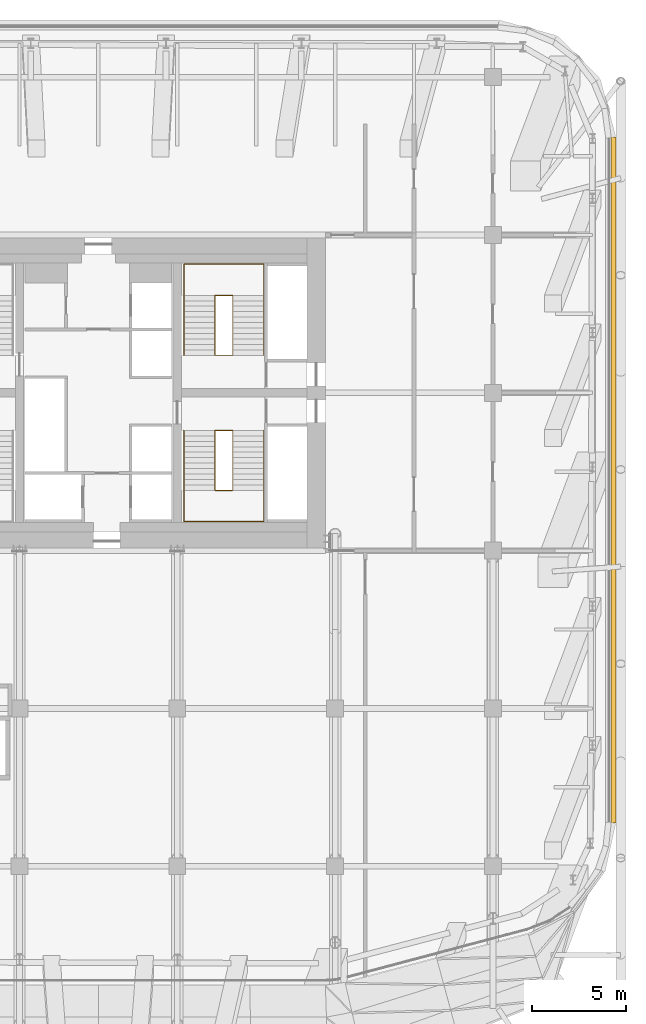
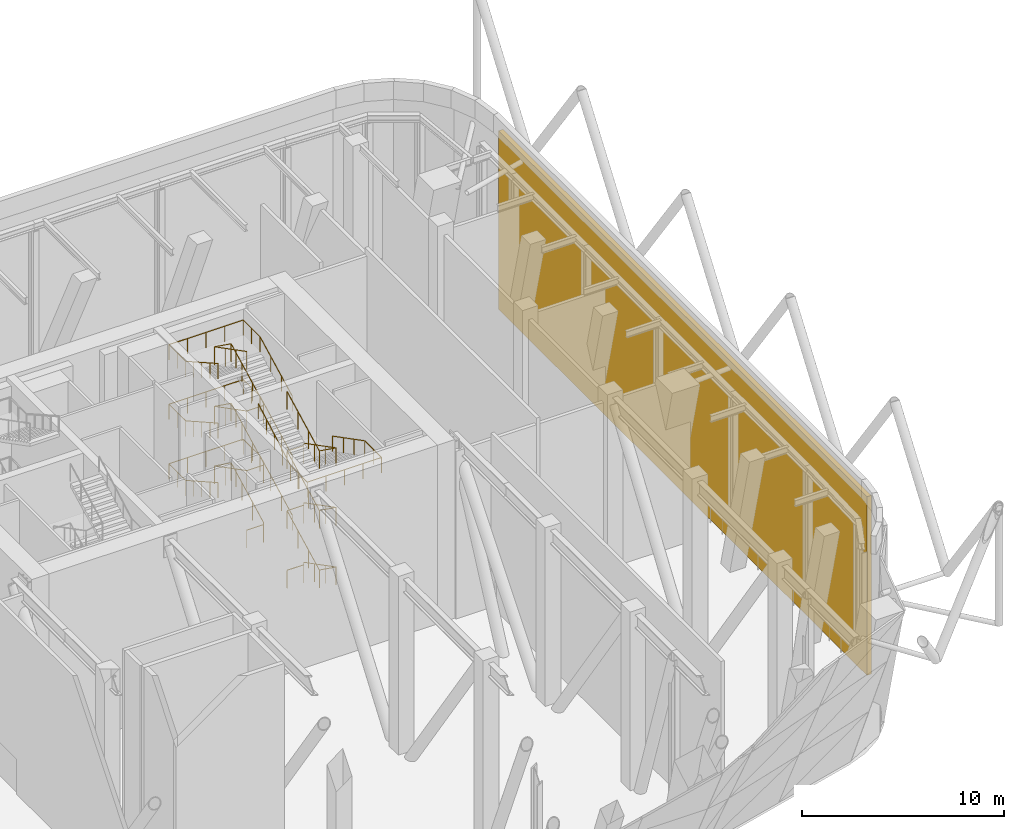
# One storey, part 19 of 20: 10 railings, 1 shading device.
"""IFC4 building model written with IfcOpenShell, lengths in metres."""

from ifc_helpers import new_model, si_unit, direction, frame, frame_2d, origin, origin_2d, place, context, subcontext, project, spatial, rectangle, circle, extrude, material, layer, layer_set, type_object, element, save


model = new_model("IFC4")

# Units and contexts
model_context = context("Model", 3, precision=1e-05, world=origin(), true_north=direction((0.0, 1.0)))
body_context = subcontext(model_context, "Body", "Model", "MODEL_VIEW")
ifc_project = project(units=[si_unit("LENGTHUNIT", "METRE"), si_unit("AREAUNIT", "SQUARE_METRE"), si_unit("VOLUMEUNIT", "CUBIC_METRE"), si_unit("PLANEANGLEUNIT", "RADIAN"), si_unit("MASSUNIT", "GRAM", prefix="KILO")], contexts=[model_context])

# Site, building, storey
site_placement = place(None, origin())
site = spatial("IfcSite", under=ifc_project, at=site_placement, CompositionType="ELEMENT")
building_placement = place(site_placement, origin())
building = spatial("IfcBuilding", under=site, at=building_placement, Name="Marenta Gate Hotel Tower", CompositionType="ELEMENT")
storey_placement = place(building_placement, frame((0.0, 0.0, 169.699951171875)))
storey = spatial("IfcBuildingStorey", under=building, at=storey_placement, Name="L40", CompositionType="ELEMENT", Elevation=169.699951171875)

# Railings
ifc_material_1 = material(Name="Stainless steel", Category="steel")
railing_type_1 = type_object("IfcRailingType", Name="Core stair handrail 950", PredefinedType="HANDRAIL", material=ifc_material_1)
railing_1_placement = place(storey_placement, frame((8.800048828125, 6.39990234375, 7.35009765625)))
element("IfcRailing", 1, at=railing_1_placement, inside=storey, type_object=railing_type_1, Name="HR-950 L40-KR-ST3-5", PredefinedType="HANDRAIL", context=body_context, shape_type="SweptSolid", body=[
    extrude(circle(Radius=0.02392578125, at=origin_2d()), frame((0.0, 0.0, 0.92578125), z_axis=(0.0, -0.888225295554, 0.459408123936), x_axis=(1.0, 0.0, 0.0)), (0.0, 0.0, 1.0), 3.59130859375),
    extrude(circle(Radius=0.02392578125, at=origin_2d()), frame((0.0, -3.18994140625, 2.57568359375), z_axis=(0.0, -1.0, 0.0), x_axis=(1.0, 0.0, 0.0)), (0.0, 0.0, 1.0), 1.659912109375),
    extrude(circle(Radius=0.02392578125, at=origin_2d()), frame((0.0, -4.849853515625, 2.57568359375), z_axis=(-1.0, 0.0, 0.0), x_axis=(0.0, -1.0, 0.0)), (0.0, 0.0, 1.0), 4.25),
    extrude(circle(Radius=0.02392578125, at=origin_2d()), frame((-4.25, -4.849853515625, 2.57568359375), z_axis=(0.0, 1.0, 0.0), x_axis=(-1.0, 0.0, 0.0)), (0.0, 0.0, 1.0), 1.659912109375),
    extrude(circle(Radius=0.02392578125, at=origin_2d()), frame((-4.25, -3.18994140625, 2.57568359375), z_axis=(0.0, 0.87090897868, 0.491444351738), x_axis=(-1.0, 0.0, 0.0)), (0.0, 0.0, 1.0), 3.662841796875),
    extrude(circle(Radius=0.02099609375, at=origin_2d()), origin(), (0.0, 0.0, 1.0), 0.90185546875),
    extrude(circle(Radius=0.02099609375, at=origin_2d()), frame((0.0, -1.063232421875, 0.550048828125)), (0.0, 0.0, 1.0), 0.90185546875),
    extrude(circle(Radius=0.02099609375, at=origin_2d()), frame((0.0, -2.126708984375, 1.099853515625)), (0.0, 0.0, 1.0), 0.90185546875),
    extrude(circle(Radius=0.02099609375, at=origin_2d()), frame((0.0, -3.18994140625, 1.64990234375)), (0.0, 0.0, 1.0), 0.90185546875),
    extrude(circle(Radius=0.02099609375, at=origin_2d()), frame((0.0, -4.02001953125, 1.64990234375)), (0.0, 0.0, 1.0), 0.90185546875),
    extrude(circle(Radius=0.02099609375, at=origin_2d()), frame((0.0, -4.849853515625, 1.64990234375)), (0.0, 0.0, 1.0), 0.90185546875),
    extrude(circle(Radius=0.02099609375, at=origin_2d()), frame((-1.0625, -4.849853515625, 1.64990234375)), (0.0, 0.0, 1.0), 0.90185546875),
    extrude(circle(Radius=0.02099609375, at=origin_2d()), frame((-2.125, -4.849853515625, 1.64990234375)), (0.0, 0.0, 1.0), 0.90185546875),
    extrude(circle(Radius=0.02099609375, at=origin_2d()), frame((-3.1875, -4.849853515625, 1.64990234375)), (0.0, 0.0, 1.0), 0.90185546875),
    extrude(circle(Radius=0.02099609375, at=origin_2d()), frame((-4.25, -4.849853515625, 1.64990234375)), (0.0, 0.0, 1.0), 0.90185546875),
    extrude(circle(Radius=0.02099609375, at=origin_2d()), frame((-4.25, -4.02001953125, 1.64990234375)), (0.0, 0.0, 1.0), 0.90185546875),
    extrude(circle(Radius=0.02099609375, at=origin_2d()), frame((-4.25, -3.18994140625, 1.64990234375)), (0.0, 0.0, 1.0), 0.90185546875),
    extrude(circle(Radius=0.02099609375, at=origin_2d()), frame((-4.25, -2.392578125, 2.099853515625)), (0.0, 0.0, 1.0), 0.90185546875),
    extrude(circle(Radius=0.02099609375, at=origin_2d()), frame((-4.25, -1.594970703125, 2.5498046875)), (0.0, 0.0, 1.0), 0.90185546875),
    extrude(circle(Radius=0.02099609375, at=origin_2d()), frame((-4.25, -0.79736328125, 3.0)), (0.0, 0.0, 1.0), 0.90185546875),
    extrude(circle(Radius=0.02099609375, at=origin_2d()), frame((-4.25, 0.0, 3.449951171875)), (0.0, 0.0, 1.0), 0.90185546875),
])
railing_2_placement = place(storey_placement, frame((8.800048828125, 10.39990234375, 0.150146484375)))
element("IfcRailing", 2, at=railing_2_placement, inside=storey, type_object=railing_type_1, Name="HR-950 L40-KR-ST4-1", PredefinedType="HANDRAIL", context=body_context, shape_type="SweptSolid", body=[
    extrude(circle(Radius=0.02392578125, at=origin_2d()), frame((0.0, 0.0, 0.92578125), z_axis=(0.0, 0.888239641807, 0.459380385653), x_axis=(-1.0, 0.0, 0.0)), (0.0, 0.0, 1.0), 3.591552734375),
    extrude(circle(Radius=0.02392578125, at=origin_2d()), frame((0.0, 3.190185546875, 2.57568359375), z_axis=(0.0, 1.0, 0.0), x_axis=(-1.0, 0.0, 0.0)), (0.0, 0.0, 1.0), 1.659912109375),
    extrude(circle(Radius=0.02392578125, at=origin_2d()), frame((0.0, 4.85009765625, 2.57568359375), z_axis=(-1.0, 0.0, 0.0), x_axis=(0.0, -1.0, 0.0)), (0.0, 0.0, 1.0), 4.25),
    extrude(circle(Radius=0.02392578125, at=origin_2d()), frame((-4.25, 4.85009765625, 2.57568359375), z_axis=(0.0, -1.0, 0.0), x_axis=(1.0, 0.0, 0.0)), (0.0, 0.0, 1.0), 1.659912109375),
    extrude(circle(Radius=0.02392578125, at=origin_2d()), frame((-4.25, 3.190185546875, 2.57568359375), z_axis=(0.0, -0.870925075533, 0.491415824742), x_axis=(1.0, 0.0, 0.0)), (0.0, 0.0, 1.0), 3.6630859375),
    extrude(circle(Radius=0.02099609375, at=origin_2d()), origin(), (0.0, 0.0, 1.0), 0.90185546875),
    extrude(circle(Radius=0.02099609375, at=origin_2d()), frame((0.0, 1.0634765625, 0.550048828125)), (0.0, 0.0, 1.0), 0.90185546875),
    extrude(circle(Radius=0.02099609375, at=origin_2d()), frame((0.0, 2.126708984375, 1.099853515625)), (0.0, 0.0, 1.0), 0.90185546875),
    extrude(circle(Radius=0.02099609375, at=origin_2d()), frame((0.0, 3.190185546875, 1.64990234375)), (0.0, 0.0, 1.0), 0.90185546875),
    extrude(circle(Radius=0.02099609375, at=origin_2d()), frame((0.0, 4.02001953125, 1.64990234375)), (0.0, 0.0, 1.0), 0.90185546875),
    extrude(circle(Radius=0.02099609375, at=origin_2d()), frame((0.0, 4.85009765625, 1.64990234375)), (0.0, 0.0, 1.0), 0.90185546875),
    extrude(circle(Radius=0.02099609375, at=origin_2d()), frame((-1.0625, 4.85009765625, 1.64990234375)), (0.0, 0.0, 1.0), 0.90185546875),
    extrude(circle(Radius=0.02099609375, at=origin_2d()), frame((-2.125, 4.85009765625, 1.64990234375)), (0.0, 0.0, 1.0), 0.90185546875),
    extrude(circle(Radius=0.02099609375, at=origin_2d()), frame((-3.1875, 4.85009765625, 1.64990234375)), (0.0, 0.0, 1.0), 0.90185546875),
    extrude(circle(Radius=0.02099609375, at=origin_2d()), frame((-4.25, 4.85009765625, 1.64990234375)), (0.0, 0.0, 1.0), 0.90185546875),
    extrude(circle(Radius=0.02099609375, at=origin_2d()), frame((-4.25, 4.02001953125, 1.64990234375)), (0.0, 0.0, 1.0), 0.90185546875),
    extrude(circle(Radius=0.02099609375, at=origin_2d()), frame((-4.25, 3.190185546875, 1.64990234375)), (0.0, 0.0, 1.0), 0.90185546875),
    extrude(circle(Radius=0.02099609375, at=origin_2d()), frame((-4.25, 2.392578125, 2.099853515625)), (0.0, 0.0, 1.0), 0.90185546875),
    extrude(circle(Radius=0.02099609375, at=origin_2d()), frame((-4.25, 1.59521484375, 2.5498046875)), (0.0, 0.0, 1.0), 0.90185546875),
    extrude(circle(Radius=0.02099609375, at=origin_2d()), frame((-4.25, 0.797607421875, 3.0)), (0.0, 0.0, 1.0), 0.90185546875),
    extrude(circle(Radius=0.02099609375, at=origin_2d()), frame((-4.25, 0.0, 3.449951171875)), (0.0, 0.0, 1.0), 0.90185546875),
])
railing_3_placement = place(storey_placement, frame((8.800048828125, 10.39990234375, 3.75)))
element("IfcRailing", 3, at=railing_3_placement, inside=storey, type_object=railing_type_1, Name="HR-950 L40-KR-ST4-3", PredefinedType="HANDRAIL", context=body_context, shape_type="SweptSolid", body=[
    extrude(circle(Radius=0.02392578125, at=origin_2d()), frame((0.0, 0.0, 0.92578125), z_axis=(0.0, 0.888211904222, 0.459434013977), x_axis=(-1.0, 0.0, 0.0)), (0.0, 0.0, 1.0), 3.591796875),
    extrude(circle(Radius=0.02392578125, at=origin_2d()), frame((0.0, 3.190185546875, 2.576171875), z_axis=(0.0, 1.0, 0.0), x_axis=(-1.0, 0.0, 0.0)), (0.0, 0.0, 1.0), 1.659912109375),
    extrude(circle(Radius=0.02392578125, at=origin_2d()), frame((0.0, 4.85009765625, 2.576171875), z_axis=(-1.0, 0.0, 0.0), x_axis=(0.0, -1.0, 0.0)), (0.0, 0.0, 1.0), 4.25),
    extrude(circle(Radius=0.02392578125, at=origin_2d()), frame((-4.25, 4.85009765625, 2.576171875), z_axis=(0.0, -1.0, 0.0), x_axis=(1.0, 0.0, 0.0)), (0.0, 0.0, 1.0), 1.659912109375),
    extrude(circle(Radius=0.02392578125, at=origin_2d()), frame((-4.25, 3.190185546875, 2.576171875), z_axis=(0.0, -0.870953600603, 0.491365266982), x_axis=(1.0, 0.0, 0.0)), (0.0, 0.0, 1.0), 3.662841796875),
    extrude(circle(Radius=0.02099609375, at=origin_2d()), origin(), (0.0, 0.0, 1.0), 0.90185546875),
    extrude(circle(Radius=0.02099609375, at=origin_2d()), frame((0.0, 1.0634765625, 0.550048828125)), (0.0, 0.0, 1.0), 0.90185546875),
    extrude(circle(Radius=0.02099609375, at=origin_2d()), frame((0.0, 2.126708984375, 1.10009765625)), (0.0, 0.0, 1.0), 0.90185546875),
    extrude(circle(Radius=0.02099609375, at=origin_2d()), frame((0.0, 3.190185546875, 1.650146484375)), (0.0, 0.0, 1.0), 0.90185546875),
    extrude(circle(Radius=0.02099609375, at=origin_2d()), frame((0.0, 4.02001953125, 1.650146484375)), (0.0, 0.0, 1.0), 0.90185546875),
    extrude(circle(Radius=0.02099609375, at=origin_2d()), frame((0.0, 4.85009765625, 1.650146484375)), (0.0, 0.0, 1.0), 0.90185546875),
    extrude(circle(Radius=0.02099609375, at=origin_2d()), frame((-1.0625, 4.85009765625, 1.650146484375)), (0.0, 0.0, 1.0), 0.90185546875),
    extrude(circle(Radius=0.02099609375, at=origin_2d()), frame((-2.125, 4.85009765625, 1.650146484375)), (0.0, 0.0, 1.0), 0.90185546875),
    extrude(circle(Radius=0.02099609375, at=origin_2d()), frame((-3.1875, 4.85009765625, 1.650146484375)), (0.0, 0.0, 1.0), 0.90185546875),
    extrude(circle(Radius=0.02099609375, at=origin_2d()), frame((-4.25, 4.85009765625, 1.650146484375)), (0.0, 0.0, 1.0), 0.90185546875),
    extrude(circle(Radius=0.02099609375, at=origin_2d()), frame((-4.25, 4.02001953125, 1.650146484375)), (0.0, 0.0, 1.0), 0.90185546875),
    extrude(circle(Radius=0.02099609375, at=origin_2d()), frame((-4.25, 3.190185546875, 1.650146484375)), (0.0, 0.0, 1.0), 0.90185546875),
    extrude(circle(Radius=0.02099609375, at=origin_2d()), frame((-4.25, 2.392578125, 2.10009765625)), (0.0, 0.0, 1.0), 0.90185546875),
    extrude(circle(Radius=0.02099609375, at=origin_2d()), frame((-4.25, 1.59521484375, 2.550048828125)), (0.0, 0.0, 1.0), 0.90185546875),
    extrude(circle(Radius=0.02099609375, at=origin_2d()), frame((-4.25, 0.797607421875, 3.0)), (0.0, 0.0, 1.0), 0.90185546875),
    extrude(circle(Radius=0.02099609375, at=origin_2d()), frame((-4.25, 0.0, 3.449951171875)), (0.0, 0.0, 1.0), 0.90185546875),
])
railing_4_placement = place(storey_placement, frame((8.800048828125, 10.39990234375, 7.35009765625)))
element("IfcRailing", 4, at=railing_4_placement, inside=storey, type_object=railing_type_1, Name="HR-950 L40-KR-ST4-5", PredefinedType="HANDRAIL", context=body_context, shape_type="SweptSolid", body=[
    extrude(circle(Radius=0.02392578125, at=origin_2d()), frame((0.0, 0.0, 0.92578125), z_axis=(0.0, 0.888239641807, 0.459380385653), x_axis=(-1.0, 0.0, 0.0)), (0.0, 0.0, 1.0), 3.591552734375),
    extrude(circle(Radius=0.02392578125, at=origin_2d()), frame((0.0, 3.190185546875, 2.57568359375), z_axis=(0.0, 1.0, 0.0), x_axis=(-1.0, 0.0, 0.0)), (0.0, 0.0, 1.0), 1.659912109375),
    extrude(circle(Radius=0.02392578125, at=origin_2d()), frame((0.0, 4.85009765625, 2.57568359375), z_axis=(-1.0, 0.0, 0.0), x_axis=(0.0, -1.0, 0.0)), (0.0, 0.0, 1.0), 4.25),
    extrude(circle(Radius=0.02392578125, at=origin_2d()), frame((-4.25, 4.85009765625, 2.57568359375), z_axis=(0.0, -1.0, 0.0), x_axis=(1.0, 0.0, 0.0)), (0.0, 0.0, 1.0), 1.659912109375),
    extrude(circle(Radius=0.02392578125, at=origin_2d()), frame((-4.25, 3.190185546875, 2.57568359375), z_axis=(0.0, -0.870925075533, 0.491415824742), x_axis=(1.0, 0.0, 0.0)), (0.0, 0.0, 1.0), 3.6630859375),
    extrude(circle(Radius=0.02099609375, at=origin_2d()), origin(), (0.0, 0.0, 1.0), 0.90185546875),
    extrude(circle(Radius=0.02099609375, at=origin_2d()), frame((0.0, 1.0634765625, 0.550048828125)), (0.0, 0.0, 1.0), 0.90185546875),
    extrude(circle(Radius=0.02099609375, at=origin_2d()), frame((0.0, 2.126708984375, 1.099853515625)), (0.0, 0.0, 1.0), 0.90185546875),
    extrude(circle(Radius=0.02099609375, at=origin_2d()), frame((0.0, 3.190185546875, 1.64990234375)), (0.0, 0.0, 1.0), 0.90185546875),
    extrude(circle(Radius=0.02099609375, at=origin_2d()), frame((0.0, 4.02001953125, 1.64990234375)), (0.0, 0.0, 1.0), 0.90185546875),
    extrude(circle(Radius=0.02099609375, at=origin_2d()), frame((0.0, 4.85009765625, 1.64990234375)), (0.0, 0.0, 1.0), 0.90185546875),
    extrude(circle(Radius=0.02099609375, at=origin_2d()), frame((-1.0625, 4.85009765625, 1.64990234375)), (0.0, 0.0, 1.0), 0.90185546875),
    extrude(circle(Radius=0.02099609375, at=origin_2d()), frame((-2.125, 4.85009765625, 1.64990234375)), (0.0, 0.0, 1.0), 0.90185546875),
    extrude(circle(Radius=0.02099609375, at=origin_2d()), frame((-3.1875, 4.85009765625, 1.64990234375)), (0.0, 0.0, 1.0), 0.90185546875),
    extrude(circle(Radius=0.02099609375, at=origin_2d()), frame((-4.25, 4.85009765625, 1.64990234375)), (0.0, 0.0, 1.0), 0.90185546875),
    extrude(circle(Radius=0.02099609375, at=origin_2d()), frame((-4.25, 4.02001953125, 1.64990234375)), (0.0, 0.0, 1.0), 0.90185546875),
    extrude(circle(Radius=0.02099609375, at=origin_2d()), frame((-4.25, 3.190185546875, 1.64990234375)), (0.0, 0.0, 1.0), 0.90185546875),
    extrude(circle(Radius=0.02099609375, at=origin_2d()), frame((-4.25, 2.392578125, 2.099853515625)), (0.0, 0.0, 1.0), 0.90185546875),
    extrude(circle(Radius=0.02099609375, at=origin_2d()), frame((-4.25, 1.59521484375, 2.5498046875)), (0.0, 0.0, 1.0), 0.90185546875),
    extrude(circle(Radius=0.02099609375, at=origin_2d()), frame((-4.25, 0.797607421875, 3.0)), (0.0, 0.0, 1.0), 0.90185546875),
    extrude(circle(Radius=0.02099609375, at=origin_2d()), frame((-4.25, 0.0, 3.449951171875)), (0.0, 0.0, 1.0), 0.90185546875),
])
ifc_material_2 = material(Name="Stainless steel", Category="steel")
railing_type_2 = type_object("IfcRailingType", Name="Core stair well guard 1100", PredefinedType="GUARDRAIL", material=ifc_material_2)
railing_5_placement = place(storey_placement, frame((6.199951171875, 6.39990234375, 0.0)))
element("IfcRailing", 5, at=railing_5_placement, inside=storey, type_object=railing_type_2, Name="GR-1100 L40-KR-ST3-2", PredefinedType="GUARDRAIL", context=body_context, shape_type="SweptSolid", body=[
    extrude(circle(Radius=0.02392578125, at=origin_2d()), frame((0.0, 0.0, 1.076171875), z_axis=(1.0, 0.0, 0.0), x_axis=(0.0, 1.0, 0.0)), (0.0, 0.0, 1.0), 0.949951171875),
    extrude(circle(Radius=0.02392578125, at=origin_2d()), frame((0.949951171875, 0.0, 1.076171875), z_axis=(0.0, 0.0, 1.0), x_axis=(1.0, 0.0, 0.0)), (0.0, 0.0, 1.0), 0.150146484375),
    extrude(circle(Radius=0.02392578125, at=origin_2d()), frame((0.949951171875, 0.0, 1.22607421875), z_axis=(0.0, -0.888225295554, 0.459408123936), x_axis=(1.0, 0.0, 0.0)), (0.0, 0.0, 1.0), 3.59130859375),
    extrude(circle(Radius=0.02392578125, at=origin_2d()), frame((0.949951171875, -3.18994140625, 2.8759765625), z_axis=(-0.987777369502, 0.0, 0.15587131968), x_axis=(0.0, -1.0, 0.0)), (0.0, 0.0, 1.0), 0.961669921875),
    extrude(circle(Radius=0.02392578125, at=origin_2d()), frame((0.0, -3.18994140625, 3.02587890625), z_axis=(0.0, 0.888197555067, 0.459461753765), x_axis=(-1.0, 0.0, 0.0)), (0.0, 0.0, 1.0), 3.591552734375),
    extrude(circle(Radius=0.02099609375, at=origin_2d()), origin(), (0.0, 0.0, 1.0), 1.052001953125),
    extrude(circle(Radius=0.02099609375, at=origin_2d()), frame((0.949951171875, 0.0, 0.0)), (0.0, 0.0, 1.0), 1.052001953125),
    extrude(circle(Radius=0.02099609375, at=origin_2d()), frame((0.949951171875, 0.0, 0.150146484375)), (0.0, 0.0, 1.0), 1.052001953125),
    extrude(circle(Radius=0.02099609375, at=origin_2d()), frame((0.949951171875, -1.063232421875, 0.7001953125)), (0.0, 0.0, 1.0), 1.052001953125),
    extrude(circle(Radius=0.02099609375, at=origin_2d()), frame((0.949951171875, -2.126708984375, 1.25)), (0.0, 0.0, 1.0), 1.052001953125),
    extrude(circle(Radius=0.02099609375, at=origin_2d()), frame((0.949951171875, -3.18994140625, 1.800048828125)), (0.0, 0.0, 1.0), 1.052001953125),
    extrude(circle(Radius=0.02099609375, at=origin_2d()), frame((0.0, -3.18994140625, 1.949951171875)), (0.0, 0.0, 1.0), 1.052001953125),
    extrude(circle(Radius=0.02099609375, at=origin_2d()), frame((0.0, -2.126708984375, 2.5)), (0.0, 0.0, 1.0), 1.052001953125),
    extrude(circle(Radius=0.02099609375, at=origin_2d()), frame((0.0, -1.063232421875, 3.050048828125)), (0.0, 0.0, 1.0), 1.052001953125),
    extrude(circle(Radius=0.02099609375, at=origin_2d()), frame((0.0, 0.0, 3.60009765625)), (0.0, 0.0, 1.0), 1.052001953125),
])
railing_6_placement = place(storey_placement, frame((6.199951171875, 6.39990234375, 3.60009765625)))
element("IfcRailing", 6, at=railing_6_placement, inside=storey, type_object=railing_type_2, Name="GR-1100 L40-KR-ST3-4", PredefinedType="GUARDRAIL", context=body_context, shape_type="SweptSolid", body=[
    extrude(circle(Radius=0.02392578125, at=origin_2d()), frame((0.0, 0.0, 1.076171875), z_axis=(1.0, 0.0, 0.0), x_axis=(0.0, 1.0, 0.0)), (0.0, 0.0, 1.0), 0.949951171875),
    extrude(circle(Radius=0.02392578125, at=origin_2d()), frame((0.949951171875, 0.0, 1.076171875), z_axis=(0.0, 0.0, 1.0), x_axis=(1.0, 0.0, 0.0)), (0.0, 0.0, 1.0), 0.14990234375),
    extrude(circle(Radius=0.02392578125, at=origin_2d()), frame((0.949951171875, 0.0, 1.22607421875), z_axis=(0.0, -0.888197555067, 0.459461753765), x_axis=(1.0, 0.0, 0.0)), (0.0, 0.0, 1.0), 3.591552734375),
    extrude(circle(Radius=0.02392578125, at=origin_2d()), frame((0.949951171875, -3.18994140625, 2.8759765625), z_axis=(-0.987777369502, 0.0, 0.15587131968), x_axis=(0.0, -1.0, 0.0)), (0.0, 0.0, 1.0), 0.961669921875),
    extrude(circle(Radius=0.02392578125, at=origin_2d()), frame((0.0, -3.18994140625, 3.02587890625), z_axis=(0.0, 0.888225295554, 0.459408123936), x_axis=(-1.0, 0.0, 0.0)), (0.0, 0.0, 1.0), 3.59130859375),
    extrude(circle(Radius=0.02099609375, at=origin_2d()), origin(), (0.0, 0.0, 1.0), 1.052001953125),
    extrude(circle(Radius=0.02099609375, at=origin_2d()), frame((0.949951171875, 0.0, 0.0)), (0.0, 0.0, 1.0), 1.052001953125),
    extrude(circle(Radius=0.02099609375, at=origin_2d()), frame((0.949951171875, 0.0, 0.14990234375)), (0.0, 0.0, 1.0), 1.052001953125),
    extrude(circle(Radius=0.02099609375, at=origin_2d()), frame((0.949951171875, -1.063232421875, 0.699951171875)), (0.0, 0.0, 1.0), 1.052001953125),
    extrude(circle(Radius=0.02099609375, at=origin_2d()), frame((0.949951171875, -2.126708984375, 1.25)), (0.0, 0.0, 1.0), 1.052001953125),
    extrude(circle(Radius=0.02099609375, at=origin_2d()), frame((0.949951171875, -3.18994140625, 1.800048828125)), (0.0, 0.0, 1.0), 1.052001953125),
    extrude(circle(Radius=0.02099609375, at=origin_2d()), frame((0.0, -3.18994140625, 1.949951171875)), (0.0, 0.0, 1.0), 1.052001953125),
    extrude(circle(Radius=0.02099609375, at=origin_2d()), frame((0.0, -2.126708984375, 2.5)), (0.0, 0.0, 1.0), 1.052001953125),
    extrude(circle(Radius=0.02099609375, at=origin_2d()), frame((0.0, -1.063232421875, 3.0498046875)), (0.0, 0.0, 1.0), 1.052001953125),
    extrude(circle(Radius=0.02099609375, at=origin_2d()), frame((0.0, 0.0, 3.599853515625)), (0.0, 0.0, 1.0), 1.052001953125),
])
railing_7_placement = place(storey_placement, frame((6.199951171875, 6.39990234375, 7.199951171875)))
element("IfcRailing", 7, at=railing_7_placement, inside=storey, type_object=railing_type_2, Name="GR-1100 L40-KR-ST3-6", PredefinedType="GUARDRAIL", context=body_context, shape_type="SweptSolid", body=[
    extrude(circle(Radius=0.02392578125, at=origin_2d()), frame((0.0, 0.0, 1.076171875), z_axis=(1.0, 0.0, 0.0), x_axis=(0.0, 1.0, 0.0)), (0.0, 0.0, 1.0), 0.949951171875),
    extrude(circle(Radius=0.02392578125, at=origin_2d()), frame((0.949951171875, 0.0, 1.076171875), z_axis=(0.0, 0.0, 1.0), x_axis=(1.0, 0.0, 0.0)), (0.0, 0.0, 1.0), 0.150146484375),
    extrude(circle(Radius=0.02392578125, at=origin_2d()), frame((0.949951171875, 0.0, 1.22607421875), z_axis=(0.0, -0.888225295554, 0.459408123936), x_axis=(1.0, 0.0, 0.0)), (0.0, 0.0, 1.0), 3.59130859375),
    extrude(circle(Radius=0.02392578125, at=origin_2d()), frame((0.949951171875, -3.18994140625, 2.8759765625), z_axis=(-0.987738253826, 0.0, 0.156118999255), x_axis=(0.0, -1.0, 0.0)), (0.0, 0.0, 1.0), 0.961669921875),
    extrude(circle(Radius=0.02392578125, at=origin_2d()), frame((0.0, -3.18994140625, 3.0263671875), z_axis=(0.0, 0.888225295554, 0.459408123936), x_axis=(-1.0, 0.0, 0.0)), (0.0, 0.0, 1.0), 3.59130859375),
    extrude(circle(Radius=0.02099609375, at=origin_2d()), origin(), (0.0, 0.0, 1.0), 1.052001953125),
    extrude(circle(Radius=0.02099609375, at=origin_2d()), frame((0.949951171875, 0.0, 0.0)), (0.0, 0.0, 1.0), 1.052001953125),
    extrude(circle(Radius=0.02099609375, at=origin_2d()), frame((0.949951171875, 0.0, 0.150146484375)), (0.0, 0.0, 1.0), 1.052001953125),
    extrude(circle(Radius=0.02099609375, at=origin_2d()), frame((0.949951171875, -1.063232421875, 0.7001953125)), (0.0, 0.0, 1.0), 1.052001953125),
    extrude(circle(Radius=0.02099609375, at=origin_2d()), frame((0.949951171875, -2.126708984375, 1.25)), (0.0, 0.0, 1.0), 1.052001953125),
    extrude(circle(Radius=0.02099609375, at=origin_2d()), frame((0.949951171875, -3.18994140625, 1.800048828125)), (0.0, 0.0, 1.0), 1.052001953125),
    extrude(circle(Radius=0.02099609375, at=origin_2d()), frame((0.0, -3.18994140625, 1.9501953125)), (0.0, 0.0, 1.0), 1.052001953125),
    extrude(circle(Radius=0.02099609375, at=origin_2d()), frame((0.0, -2.126708984375, 2.500244140625)), (0.0, 0.0, 1.0), 1.052001953125),
    extrude(circle(Radius=0.02099609375, at=origin_2d()), frame((0.0, -1.063232421875, 3.050048828125)), (0.0, 0.0, 1.0), 1.052001953125),
    extrude(circle(Radius=0.02099609375, at=origin_2d()), frame((0.0, 0.0, 3.60009765625)), (0.0, 0.0, 1.0), 1.052001953125),
])
railing_8_placement = place(storey_placement, frame((6.199951171875, 10.39990234375, 0.0)))
element("IfcRailing", 8, at=railing_8_placement, inside=storey, type_object=railing_type_2, Name="GR-1100 L40-KR-ST4-2", PredefinedType="GUARDRAIL", context=body_context, shape_type="SweptSolid", body=[
    extrude(circle(Radius=0.02392578125, at=origin_2d()), frame((0.0, 0.0, 1.076171875), z_axis=(1.0, 0.0, 0.0), x_axis=(0.0, 1.0, 0.0)), (0.0, 0.0, 1.0), 0.949951171875),
    extrude(circle(Radius=0.02392578125, at=origin_2d()), frame((0.949951171875, 0.0, 1.076171875), z_axis=(0.0, 0.0, 1.0), x_axis=(1.0, 0.0, 0.0)), (0.0, 0.0, 1.0), 0.150146484375),
    extrude(circle(Radius=0.02392578125, at=origin_2d()), frame((0.949951171875, 0.0, 1.22607421875), z_axis=(0.0, 0.888239641807, 0.459380385653), x_axis=(-1.0, 0.0, 0.0)), (0.0, 0.0, 1.0), 3.591552734375),
    extrude(circle(Radius=0.02392578125, at=origin_2d()), frame((0.949951171875, 3.190185546875, 2.8759765625), z_axis=(-0.987777369502, 0.0, 0.15587131968), x_axis=(0.0, -1.0, 0.0)), (0.0, 0.0, 1.0), 0.961669921875),
    extrude(circle(Radius=0.02392578125, at=origin_2d()), frame((0.0, 3.190185546875, 3.02587890625), z_axis=(0.0, -0.888211904222, 0.459434013977), x_axis=(1.0, 0.0, 0.0)), (0.0, 0.0, 1.0), 3.591796875),
    extrude(circle(Radius=0.02099609375, at=origin_2d()), origin(), (0.0, 0.0, 1.0), 1.052001953125),
    extrude(circle(Radius=0.02099609375, at=origin_2d()), frame((0.949951171875, 0.0, 0.0)), (0.0, 0.0, 1.0), 1.052001953125),
    extrude(circle(Radius=0.02099609375, at=origin_2d()), frame((0.949951171875, 0.0, 0.150146484375)), (0.0, 0.0, 1.0), 1.052001953125),
    extrude(circle(Radius=0.02099609375, at=origin_2d()), frame((0.949951171875, 1.0634765625, 0.7001953125)), (0.0, 0.0, 1.0), 1.052001953125),
    extrude(circle(Radius=0.02099609375, at=origin_2d()), frame((0.949951171875, 2.126708984375, 1.25)), (0.0, 0.0, 1.0), 1.052001953125),
    extrude(circle(Radius=0.02099609375, at=origin_2d()), frame((0.949951171875, 3.190185546875, 1.800048828125)), (0.0, 0.0, 1.0), 1.052001953125),
    extrude(circle(Radius=0.02099609375, at=origin_2d()), frame((0.0, 3.190185546875, 1.949951171875)), (0.0, 0.0, 1.0), 1.052001953125),
    extrude(circle(Radius=0.02099609375, at=origin_2d()), frame((0.0, 2.126708984375, 2.5)), (0.0, 0.0, 1.0), 1.052001953125),
    extrude(circle(Radius=0.02099609375, at=origin_2d()), frame((0.0, 1.0634765625, 3.050048828125)), (0.0, 0.0, 1.0), 1.052001953125),
    extrude(circle(Radius=0.02099609375, at=origin_2d()), frame((0.0, 0.0, 3.60009765625)), (0.0, 0.0, 1.0), 1.052001953125),
])
railing_9_placement = place(storey_placement, frame((6.199951171875, 10.39990234375, 3.60009765625)))
element("IfcRailing", 9, at=railing_9_placement, inside=storey, type_object=railing_type_2, Name="GR-1100 L40-KR-ST4-4", PredefinedType="GUARDRAIL", context=body_context, shape_type="SweptSolid", body=[
    extrude(circle(Radius=0.02392578125, at=origin_2d()), frame((0.0, 0.0, 1.076171875), z_axis=(1.0, 0.0, 0.0), x_axis=(0.0, 1.0, 0.0)), (0.0, 0.0, 1.0), 0.949951171875),
    extrude(circle(Radius=0.02392578125, at=origin_2d()), frame((0.949951171875, 0.0, 1.076171875), z_axis=(0.0, 0.0, 1.0), x_axis=(1.0, 0.0, 0.0)), (0.0, 0.0, 1.0), 0.14990234375),
    extrude(circle(Radius=0.02392578125, at=origin_2d()), frame((0.949951171875, 0.0, 1.22607421875), z_axis=(0.0, 0.888211904222, 0.459434013977), x_axis=(-1.0, 0.0, 0.0)), (0.0, 0.0, 1.0), 3.591796875),
    extrude(circle(Radius=0.02392578125, at=origin_2d()), frame((0.949951171875, 3.190185546875, 2.8759765625), z_axis=(-0.987777369502, 0.0, 0.15587131968), x_axis=(0.0, -1.0, 0.0)), (0.0, 0.0, 1.0), 0.961669921875),
    extrude(circle(Radius=0.02392578125, at=origin_2d()), frame((0.0, 3.190185546875, 3.02587890625), z_axis=(0.0, -0.888239641807, 0.459380385653), x_axis=(1.0, 0.0, 0.0)), (0.0, 0.0, 1.0), 3.591552734375),
    extrude(circle(Radius=0.02099609375, at=origin_2d()), origin(), (0.0, 0.0, 1.0), 1.052001953125),
    extrude(circle(Radius=0.02099609375, at=origin_2d()), frame((0.949951171875, 0.0, 0.0)), (0.0, 0.0, 1.0), 1.052001953125),
    extrude(circle(Radius=0.02099609375, at=origin_2d()), frame((0.949951171875, 0.0, 0.14990234375)), (0.0, 0.0, 1.0), 1.052001953125),
    extrude(circle(Radius=0.02099609375, at=origin_2d()), frame((0.949951171875, 1.0634765625, 0.699951171875)), (0.0, 0.0, 1.0), 1.052001953125),
    extrude(circle(Radius=0.02099609375, at=origin_2d()), frame((0.949951171875, 2.126708984375, 1.25)), (0.0, 0.0, 1.0), 1.052001953125),
    extrude(circle(Radius=0.02099609375, at=origin_2d()), frame((0.949951171875, 3.190185546875, 1.800048828125)), (0.0, 0.0, 1.0), 1.052001953125),
    extrude(circle(Radius=0.02099609375, at=origin_2d()), frame((0.0, 3.190185546875, 1.949951171875)), (0.0, 0.0, 1.0), 1.052001953125),
    extrude(circle(Radius=0.02099609375, at=origin_2d()), frame((0.0, 2.126708984375, 2.5)), (0.0, 0.0, 1.0), 1.052001953125),
    extrude(circle(Radius=0.02099609375, at=origin_2d()), frame((0.0, 1.0634765625, 3.0498046875)), (0.0, 0.0, 1.0), 1.052001953125),
    extrude(circle(Radius=0.02099609375, at=origin_2d()), frame((0.0, 0.0, 3.599853515625)), (0.0, 0.0, 1.0), 1.052001953125),
])
railing_10_placement = place(storey_placement, frame((6.199951171875, 10.39990234375, 7.199951171875)))
element("IfcRailing", 10, at=railing_10_placement, inside=storey, type_object=railing_type_2, Name="GR-1100 L40-KR-ST4-6", PredefinedType="GUARDRAIL", context=body_context, shape_type="SweptSolid", body=[
    extrude(circle(Radius=0.02392578125, at=origin_2d()), frame((0.0, 0.0, 1.076171875), z_axis=(1.0, 0.0, 0.0), x_axis=(0.0, 1.0, 0.0)), (0.0, 0.0, 1.0), 0.949951171875),
    extrude(circle(Radius=0.02392578125, at=origin_2d()), frame((0.949951171875, 0.0, 1.076171875), z_axis=(0.0, 0.0, 1.0), x_axis=(1.0, 0.0, 0.0)), (0.0, 0.0, 1.0), 0.150146484375),
    extrude(circle(Radius=0.02392578125, at=origin_2d()), frame((0.949951171875, 0.0, 1.22607421875), z_axis=(0.0, 0.888239641807, 0.459380385653), x_axis=(-1.0, 0.0, 0.0)), (0.0, 0.0, 1.0), 3.591552734375),
    extrude(circle(Radius=0.02392578125, at=origin_2d()), frame((0.949951171875, 3.190185546875, 2.8759765625), z_axis=(-0.987738253826, 0.0, 0.156118999255), x_axis=(0.0, -1.0, 0.0)), (0.0, 0.0, 1.0), 0.961669921875),
    extrude(circle(Radius=0.02392578125, at=origin_2d()), frame((0.0, 3.190185546875, 3.0263671875), z_axis=(0.0, -0.888239641807, 0.459380385653), x_axis=(1.0, 0.0, 0.0)), (0.0, 0.0, 1.0), 3.591552734375),
    extrude(circle(Radius=0.02099609375, at=origin_2d()), origin(), (0.0, 0.0, 1.0), 1.052001953125),
    extrude(circle(Radius=0.02099609375, at=origin_2d()), frame((0.949951171875, 0.0, 0.0)), (0.0, 0.0, 1.0), 1.052001953125),
    extrude(circle(Radius=0.02099609375, at=origin_2d()), frame((0.949951171875, 0.0, 0.150146484375)), (0.0, 0.0, 1.0), 1.052001953125),
    extrude(circle(Radius=0.02099609375, at=origin_2d()), frame((0.949951171875, 1.0634765625, 0.7001953125)), (0.0, 0.0, 1.0), 1.052001953125),
    extrude(circle(Radius=0.02099609375, at=origin_2d()), frame((0.949951171875, 2.126708984375, 1.25)), (0.0, 0.0, 1.0), 1.052001953125),
    extrude(circle(Radius=0.02099609375, at=origin_2d()), frame((0.949951171875, 3.190185546875, 1.800048828125)), (0.0, 0.0, 1.0), 1.052001953125),
    extrude(circle(Radius=0.02099609375, at=origin_2d()), frame((0.0, 3.190185546875, 1.9501953125)), (0.0, 0.0, 1.0), 1.052001953125),
    extrude(circle(Radius=0.02099609375, at=origin_2d()), frame((0.0, 2.126708984375, 2.500244140625)), (0.0, 0.0, 1.0), 1.052001953125),
    extrude(circle(Radius=0.02099609375, at=origin_2d()), frame((0.0, 1.0634765625, 3.050048828125)), (0.0, 0.0, 1.0), 1.052001953125),
    extrude(circle(Radius=0.02099609375, at=origin_2d()), frame((0.0, 0.0, 3.60009765625)), (0.0, 0.0, 1.0), 1.052001953125),
])

# Shading device
ifc_material_3 = material(Name="Bronze anodised aluminium louvre", Category="aluminium")
ifc_layer = layer(ifc_material_3, 0.25)
ifc_layer_set = layer_set([ifc_layer], Name="Bronze anodised aluminium louvre")
shading_device_type = type_object("IfcShadingDeviceType", Name="Louvred plant screen 250 mm", PredefinedType="JALOUSIE", material=ifc_layer_set)
shading_device_placement = place(storey_placement, frame((27.419921875, -14.490966796875, 0.0), z_axis=(0.0, 0.0, 1.0), x_axis=(-6.689008e-06, 0.999999999978, 0.0)))
element("IfcShadingDevice", 11, at=shading_device_placement, inside=storey, type_object=shading_device_type, Name="Louvred plant screen", PredefinedType="JALOUSIE", context=body_context, shape_type="SweptSolid", body=[
    extrude(rectangle(XDim=36.498779296875, YDim=0.25, at=frame_2d((18.24951171875, 0.0))), origin(), (0.0, 0.0, 1.0), 10.800048828125),
])

save(model, "model.ifc")
